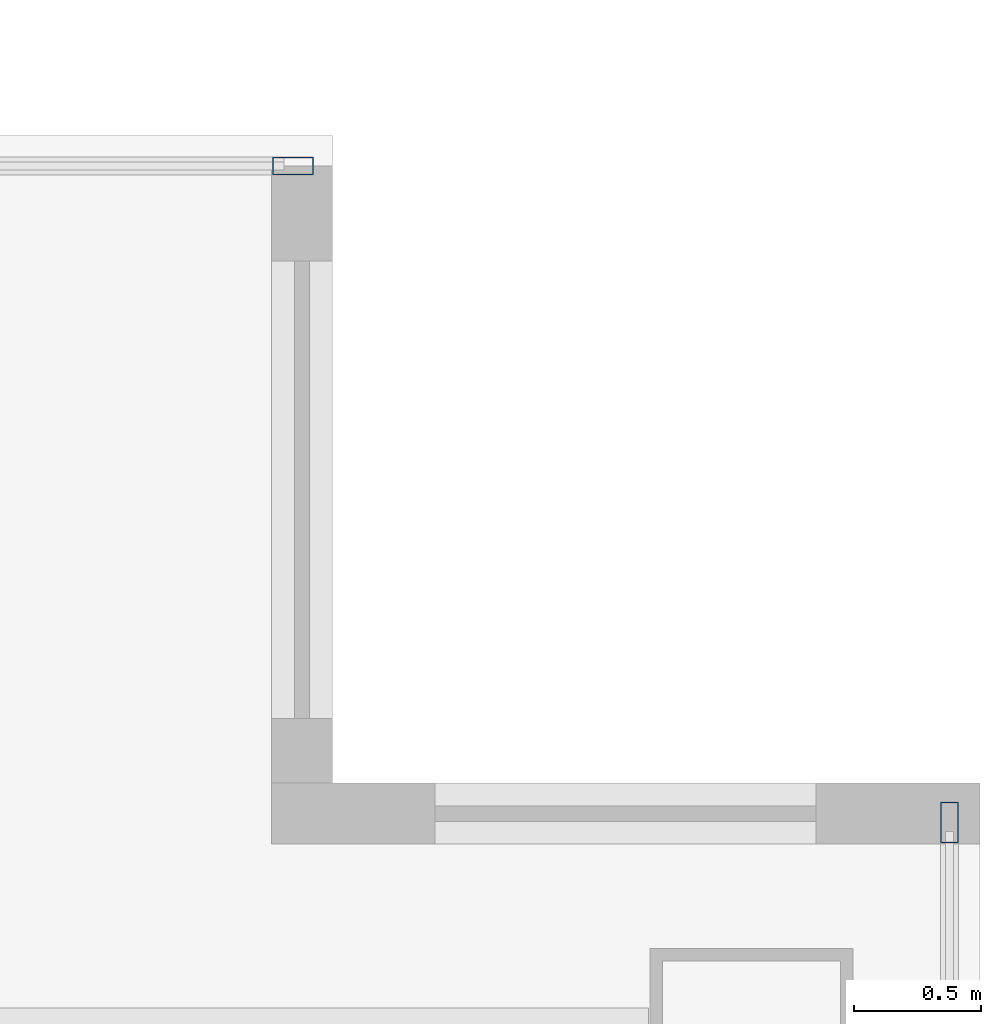
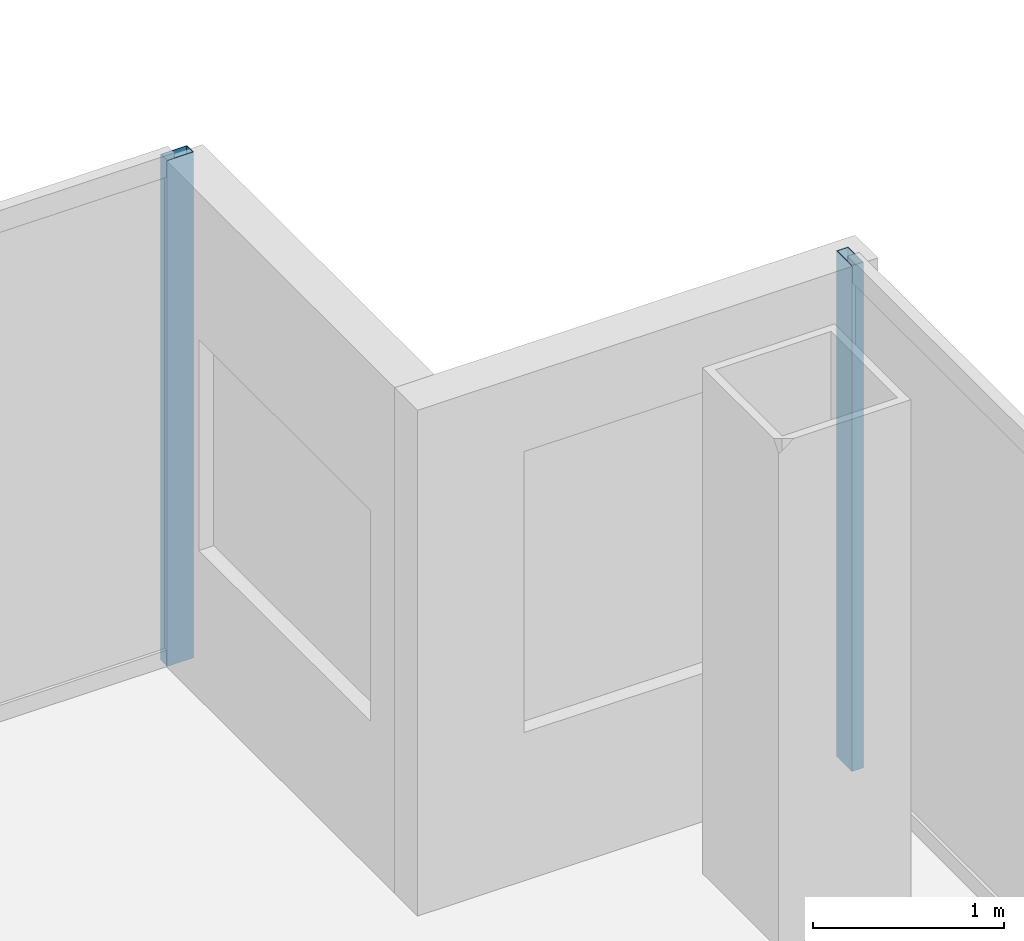
# One storey, part 16 of 23: 2 members, 2 elements without a shape of their own.
"""IFC4 building model written with IfcOpenShell, lengths in metres."""

from ifc_helpers import new_model, si_unit, direction, frame, origin, origin_2d, place, context, subcontext, project, spatial, hollow_rectangle, extrude, material, material_profile, profile_set, type_object, element, aggregate, save


model = new_model("IFC4")

# Units and contexts
model_context = context("Model", 3, precision=1e-05, world=origin(), true_north=direction((0.0, 1.0)))
body_context = subcontext(model_context, "Body", "Model", "MODEL_VIEW")
ifc_project = project(units=[si_unit("LENGTHUNIT", "METRE"), si_unit("AREAUNIT", "SQUARE_METRE"), si_unit("VOLUMEUNIT", "CUBIC_METRE"), si_unit("PLANEANGLEUNIT", "RADIAN"), si_unit("MASSUNIT", "GRAM", prefix="KILO")], contexts=[model_context])

# Site, building, storey
site_placement = place(None, origin())
site = spatial("IfcSite", under=ifc_project, at=site_placement, CompositionType="ELEMENT")
building_placement = place(site_placement, origin())
building = spatial("IfcBuilding", under=site, at=building_placement, Name="Cobrela Telecom Tower", CompositionType="ELEMENT")
storey_placement = place(building_placement, frame((0.0, 0.0, 190.75)))
storey = spatial("IfcBuildingStorey", under=building, at=storey_placement, Name="L48", CompositionType="ELEMENT", Elevation=190.75)

# Curtain wall, member
ifc_material = material(Name="Anodized Bronze Aluminium 6063-T6", Category="aluminium")
curtain_wall_type = type_object("IfcCurtainWallType", Name="CW-SYS-OFF-LO", PredefinedType="USERDEFINED", material=ifc_material)
curtain_wall_1_placement = place(storey_placement, origin())
curtain_wall_1 = element("IfcCurtainWall", 1, at=curtain_wall_1_placement, inside=storey, type_object=curtain_wall_type, Name="L48 Unitised Bronze Curtain Wall 11", ObjectType="UNITISED CURTAIN WALL", PredefinedType="USERDEFINED")
ifc_material_profile = material_profile(ifc_material, hollow_rectangle(XDim=0.070068359375, YDim=0.159912109375, WallThickness=0.00390625, at=origin_2d()), Name="ALU 70x160x4")
ifc_profile_set = profile_set([ifc_material_profile], Name="Anodized Bronze Aluminium 6063-T6")
member_type = type_object("IfcMemberType", Name="CW-SYS-OFF-LO-MUL", PredefinedType="MULLION", material=ifc_profile_set)
member_1_placement = place(storey_placement, frame((41.294921875, 25.080078125, 0.0), z_axis=(0.0, 0.0, 1.0), x_axis=(0.0, 1.0, 0.0)))
member_1 = element("IfcMember", 2, at=member_1_placement, type_object=member_type, Name="CW-OFF-LO mullion 3", PredefinedType="MULLION", context=body_context, shape_type="SweptSolid", body=[
    extrude(hollow_rectangle(XDim=0.070068359375, YDim=0.159912109375, WallThickness=0.00390625, at=origin_2d()), origin(), (0.0, 0.0, 1.0), 3.239990234375),
])
aggregate(curtain_wall_1, [member_1])

curtain_wall_2_placement = place(storey_placement, origin())
curtain_wall_2 = element("IfcCurtainWall", 3, at=curtain_wall_2_placement, inside=storey, type_object=curtain_wall_type, Name="L48 Unitised Bronze Curtain Wall 14", ObjectType="UNITISED CURTAIN WALL", PredefinedType="USERDEFINED")
member_2_placement = place(storey_placement, frame((43.8798828125, 22.4951171875, 0.0), z_axis=(0.0, 0.0, 1.0), x_axis=(1.0, 0.0, 0.0)))
member_2 = element("IfcMember", 4, at=member_2_placement, type_object=member_type, Name="CW-OFF-LO mullion 1", PredefinedType="MULLION", context=body_context, shape_type="SweptSolid", body=[
    extrude(hollow_rectangle(XDim=0.070068359375, YDim=0.159912109375, WallThickness=0.00390625, at=origin_2d()), origin(), (0.0, 0.0, 1.0), 3.239990234375),
])
aggregate(curtain_wall_2, [member_2])

save(model, "model.ifc")
